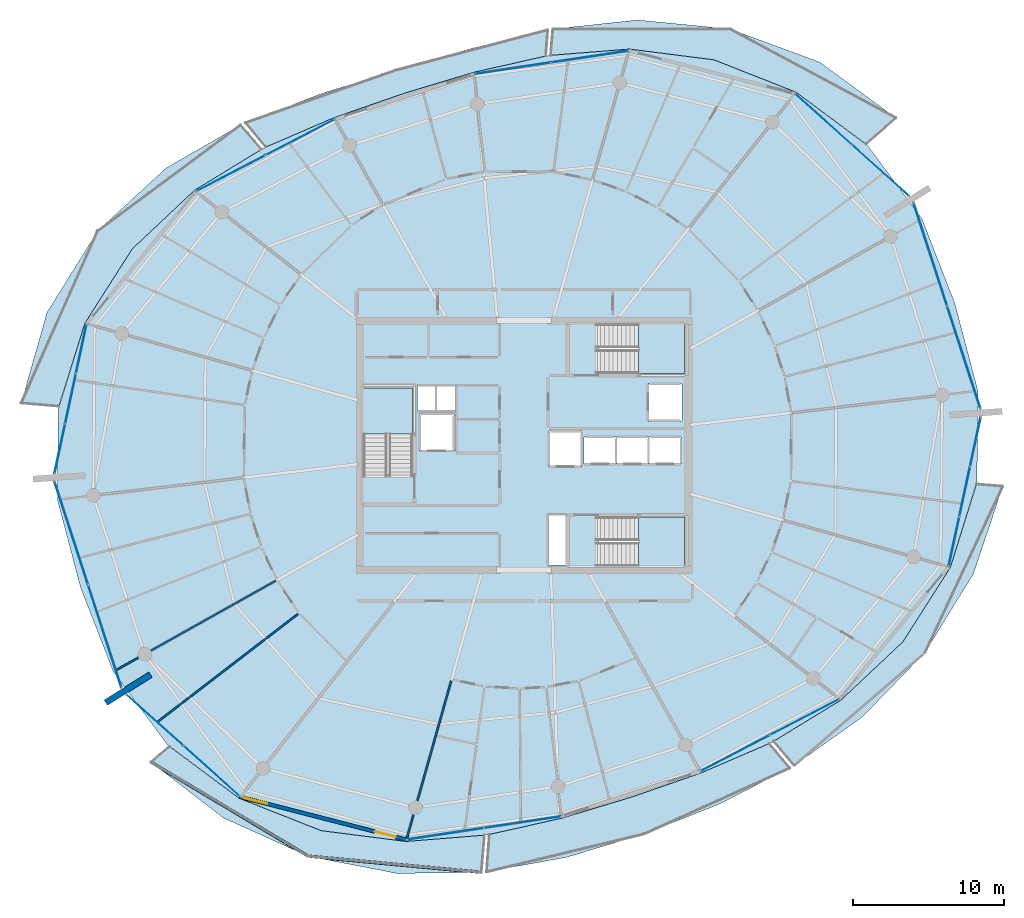
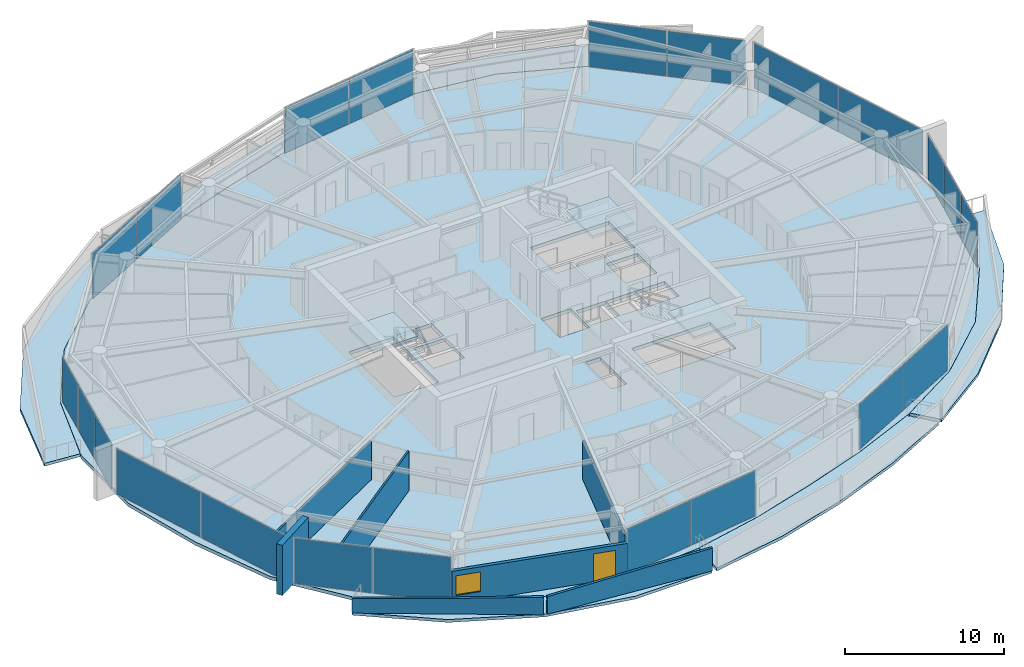
# One storey, part 17 of 30: 22 plates, 10 slabs, 7 walls, 1 door, 1 window, 2 openings, 13 elements without a shape of their own.
"""IFC4 building model written with IfcOpenShell, lengths in metres."""

from ifc_helpers import new_model, si_unit, direction, frame, frame_2d, origin, origin_2d, place, context, subcontext, project, spatial, polyline, rectangle, outline, extrude, material, layer, layer_set, type_object, element, fill, aggregate, save


model = new_model("IFC4")

# Units and contexts
model_context = context("Model", 3, precision=1e-05, world=origin(), true_north=direction((0.0, 1.0)))
body_context = subcontext(model_context, "Body", "Model", "MODEL_VIEW")
ifc_project = project(units=[si_unit("LENGTHUNIT", "METRE"), si_unit("AREAUNIT", "SQUARE_METRE"), si_unit("VOLUMEUNIT", "CUBIC_METRE"), si_unit("PLANEANGLEUNIT", "RADIAN"), si_unit("MASSUNIT", "GRAM", prefix="KILO")], contexts=[model_context])

# Site, building, storey
site_placement = place(None, origin())
site = spatial("IfcSite", under=ifc_project, at=site_placement, CompositionType="ELEMENT")
building_placement = place(site_placement, origin())
building = spatial("IfcBuilding", under=site, at=building_placement, Name="Kazma Halo Residences", CompositionType="ELEMENT")
storey_placement = place(building_placement, frame((0.0, 0.0, 294.449951171875)))
storey = spatial("IfcBuildingStorey", under=building, at=storey_placement, Name="L74", CompositionType="ELEMENT", Elevation=294.449951171875)

# Curtain wall, plates
ifc_material_1 = material(Name="Aluminium AW-6063 T6 and Triple-Silver Low-E Glass", Category="aluminium")
ifc_layer_1 = layer(ifc_material_1, 0.139892578125)
ifc_layer_set_1 = layer_set([ifc_layer_1], Name="Aluminium AW-6063 T6 and Triple-Silver Low-E Glass")
curtain_wall_type = type_object("IfcCurtainWallType", Name="CW-SYS-5", PredefinedType="NOTDEFINED", material=ifc_layer_set_1)
curtain_wall_1_placement = place(storey_placement, origin())
curtain_wall_1 = element("IfcCurtainWall", 1, at=curtain_wall_1_placement, inside=storey, type_object=curtain_wall_type, Name="L74 unitised curtain wall B01", PredefinedType="NOTDEFINED")
ifc_material_2 = material(Name="Clear Triple-Silver Low-E Glass IGU", Category="glass")
ifc_layer_2 = layer(ifc_material_2, 0.02587890625)
ifc_layer_set_2 = layer_set([ifc_layer_2], Name="Clear Triple-Silver Low-E Glass IGU")
plate_type = type_object("IfcPlateType", Name="CW-SYS-5-PNL", PredefinedType="CURTAIN_PANEL", material=ifc_layer_set_2)
plate_1_placement = place(storey_placement, frame((72.002685546875, 60.179443359375, 0.06005859375), z_axis=(0.0, 0.0, 1.0), x_axis=(-0.744336424671, 0.667804826958, 0.0)))
plate_1 = element("IfcPlate", 2, at=plate_1_placement, type_object=plate_type, Name="CWS-5 panel 1.1", PredefinedType="CURTAIN_PANEL", context=body_context, shape_type="SweptSolid", body=[
    extrude(rectangle(XDim=4.993408203125, YDim=0.02587890625, at=origin_2d()), origin(), (0.0, 0.0, 1.0), 3.469970703125),
])
plate_2_placement = place(storey_placement, frame((68.2412109375, 63.55419921875, 0.06005859375), z_axis=(0.0, 0.0, 1.0), x_axis=(-0.744336424671, 0.667804826958, 0.0)))
plate_2 = element("IfcPlate", 3, at=plate_2_placement, type_object=plate_type, Name="CWS-5 panel 2.1", PredefinedType="CURTAIN_PANEL", context=body_context, shape_type="SweptSolid", body=[
    extrude(rectangle(XDim=4.993408203125, YDim=0.02587890625, at=origin_2d()), origin(), (0.0, 0.0, 1.0), 3.469970703125),
])
aggregate(curtain_wall_1, [plate_1, plate_2])

curtain_wall_2_placement = place(storey_placement, origin())
curtain_wall_2 = element("IfcCurtainWall", 4, at=curtain_wall_2_placement, inside=storey, type_object=curtain_wall_type, Name="L74 unitised curtain wall B03", PredefinedType="NOTDEFINED")
plate_3_placement = place(storey_placement, frame((52.77783203125, 67.70361328125, 0.06005859375), z_axis=(0.0, 0.0, 1.0), x_axis=(-0.988882792998, -0.148697080374, 0.0)))
plate_3 = element("IfcPlate", 5, at=plate_3_placement, type_object=plate_type, Name="CWS-5 panel 1.1", PredefinedType="CURTAIN_PANEL", context=body_context, shape_type="SweptSolid", body=[
    extrude(rectangle(XDim=5.099853515625, YDim=0.02587890625, at=origin_2d()), origin(), (0.0, 0.0, 1.0), 3.469970703125),
])
plate_4_placement = place(storey_placement, frame((47.67529296875, 66.936279296875, 0.06005859375), z_axis=(0.0, 0.0, 1.0), x_axis=(-0.988882792998, -0.148697080374, 0.0)))
plate_4 = element("IfcPlate", 6, at=plate_4_placement, type_object=plate_type, Name="CWS-5 panel 2.1", PredefinedType="CURTAIN_PANEL", context=body_context, shape_type="SweptSolid", body=[
    extrude(rectangle(XDim=5.099853515625, YDim=0.02587890625, at=origin_2d()), origin(), (0.0, 0.0, 1.0), 3.469970703125),
])
aggregate(curtain_wall_2, [plate_3, plate_4])

curtain_wall_3_placement = place(storey_placement, origin())
curtain_wall_3 = element("IfcCurtainWall", 7, at=curtain_wall_3_placement, inside=storey, type_object=curtain_wall_type, Name="L74 unitised curtain wall B05", PredefinedType="NOTDEFINED")
plate_5_placement = place(storey_placement, frame((33.60546875, 62.36474609375, 0.06005859375), z_axis=(0.0, 0.0, 1.0), x_axis=(-0.887420518694, -0.460960760804, 0.0)))
plate_5 = element("IfcPlate", 8, at=plate_5_placement, type_object=plate_type, Name="CWS-5 panel 1.1", PredefinedType="CURTAIN_PANEL", context=body_context, shape_type="SweptSolid", body=[
    extrude(rectangle(XDim=5.099609375, YDim=0.02587890625, at=origin_2d()), origin(), (0.0, 0.0, 1.0), 3.469970703125),
])
plate_6_placement = place(storey_placement, frame((29.026611328125, 59.986328125, 0.06005859375), z_axis=(0.0, 0.0, 1.0), x_axis=(-0.887420518694, -0.460960760804, 0.0)))
plate_6 = element("IfcPlate", 9, at=plate_6_placement, type_object=plate_type, Name="CWS-5 panel 2.1", PredefinedType="CURTAIN_PANEL", context=body_context, shape_type="SweptSolid", body=[
    extrude(rectangle(XDim=5.099609375, YDim=0.02587890625, at=origin_2d()), origin(), (0.0, 0.0, 1.0), 3.469970703125),
])
aggregate(curtain_wall_3, [plate_5, plate_6])

curtain_wall_4_placement = place(storey_placement, origin())
curtain_wall_4 = element("IfcCurtainWall", 10, at=curtain_wall_4_placement, inside=storey, type_object=curtain_wall_type, Name="L74 unitised curtain wall B07", PredefinedType="NOTDEFINED")
plate_7_placement = place(storey_placement, frame((19.133056640625, 48.36865234375, 0.06005859375), z_axis=(0.0, 0.0, 1.0), x_axis=(-0.209657382603, -0.97777491373, 0.0)))
plate_7 = element("IfcPlate", 11, at=plate_7_placement, type_object=plate_type, Name="CWS-5 panel 1.1", PredefinedType="CURTAIN_PANEL", context=body_context, shape_type="SweptSolid", body=[
    extrude(rectangle(XDim=3.299072265625, YDim=0.02587890625, at=origin_2d()), origin(), (0.0, 0.0, 1.0), 3.469970703125),
])
plate_8_placement = place(storey_placement, frame((18.42578125, 45.069580078125, 0.06005859375), z_axis=(0.0, 0.0, 1.0), x_axis=(-0.209657382603, -0.97777491373, 0.0)))
plate_8 = element("IfcPlate", 12, at=plate_8_placement, type_object=plate_type, Name="CWS-5 panel 2.1", PredefinedType="CURTAIN_PANEL", context=body_context, shape_type="SweptSolid", body=[
    extrude(rectangle(XDim=3.3291015625, YDim=0.02587890625, at=origin_2d()), origin(), (0.0, 0.0, 1.0), 3.469970703125),
])
plate_9_placement = place(storey_placement, frame((17.71826171875, 41.7705078125, 0.06005859375), z_axis=(0.0, 0.0, 1.0), x_axis=(-0.209657382603, -0.97777491373, 0.0)))
plate_9 = element("IfcPlate", 13, at=plate_9_placement, type_object=plate_type, Name="CWS-5 panel 3.1", PredefinedType="CURTAIN_PANEL", context=body_context, shape_type="SweptSolid", body=[
    extrude(rectangle(XDim=3.299072265625, YDim=0.02587890625, at=origin_2d()), origin(), (0.0, 0.0, 1.0), 3.469970703125),
])
aggregate(curtain_wall_4, [plate_7, plate_8, plate_9])

curtain_wall_5_placement = place(storey_placement, origin())
curtain_wall_5 = element("IfcCurtainWall", 14, at=curtain_wall_5_placement, inside=storey, type_object=curtain_wall_type, Name="L74 unitised curtain wall B08", PredefinedType="NOTDEFINED")
plate_10_placement = place(storey_placement, frame((18.48486328125, 36.1787109375, 0.06005859375), z_axis=(0.0, 0.0, 1.0), x_axis=(0.309010998786, -0.951058464359, 0.0)))
plate_10 = element("IfcPlate", 15, at=plate_10_placement, type_object=plate_type, Name="CWS-5 panel 1.1", PredefinedType="CURTAIN_PANEL", context=body_context, shape_type="SweptSolid", body=[
    extrude(rectangle(XDim=7.108642578125, YDim=0.02587890625, at=origin_2d()), origin(), (0.0, 0.0, 1.0), 3.469970703125),
])
plate_11_placement = place(storey_placement, frame((20.699951171875, 29.36083984375, 0.06005859375), z_axis=(0.0, 0.0, 1.0), x_axis=(0.309010998786, -0.951058464359, 0.0)))
plate_11 = element("IfcPlate", 16, at=plate_11_placement, type_object=plate_type, Name="CWS-5 panel 2.1", PredefinedType="CURTAIN_PANEL", context=body_context, shape_type="SweptSolid", body=[
    extrude(rectangle(XDim=7.108642578125, YDim=0.02587890625, at=origin_2d()), origin(), (0.0, 0.0, 1.0), 3.469970703125),
])
aggregate(curtain_wall_5, [plate_10, plate_11])

curtain_wall_6_placement = place(storey_placement, origin())
curtain_wall_6 = element("IfcCurtainWall", 17, at=curtain_wall_6_placement, inside=storey, type_object=curtain_wall_type, Name="L74 unitised curtain wall B09", PredefinedType="NOTDEFINED")
plate_12_placement = place(storey_placement, frame((23.997314453125, 23.820556640625, 0.06005859375), z_axis=(0.0, 0.0, 1.0), x_axis=(0.744336424671, -0.667804826958, 0.0)))
plate_12 = element("IfcPlate", 18, at=plate_12_placement, type_object=plate_type, Name="CWS-5 panel 1.1", PredefinedType="CURTAIN_PANEL", context=body_context, shape_type="SweptSolid", body=[
    extrude(rectangle(XDim=4.993408203125, YDim=0.02587890625, at=origin_2d()), origin(), (0.0, 0.0, 1.0), 3.469970703125),
])
plate_13_placement = place(storey_placement, frame((27.7587890625, 20.44580078125, 0.06005859375), z_axis=(0.0, 0.0, 1.0), x_axis=(0.744336424671, -0.667804826958, 0.0)))
plate_13 = element("IfcPlate", 19, at=plate_13_placement, type_object=plate_type, Name="CWS-5 panel 2.1", PredefinedType="CURTAIN_PANEL", context=body_context, shape_type="SweptSolid", body=[
    extrude(rectangle(XDim=4.993408203125, YDim=0.02587890625, at=origin_2d()), origin(), (0.0, 0.0, 1.0), 3.469970703125),
])
aggregate(curtain_wall_6, [plate_12, plate_13])

curtain_wall_7_placement = place(storey_placement, origin())
curtain_wall_7 = element("IfcCurtainWall", 20, at=curtain_wall_7_placement, inside=storey, type_object=curtain_wall_type, Name="L74 unitised curtain wall B11", PredefinedType="NOTDEFINED")
plate_14_placement = place(storey_placement, frame((43.22216796875, 16.29638671875, 0.06005859375), z_axis=(0.0, 0.0, 1.0), x_axis=(0.988882792998, 0.148697080374, 0.0)))
plate_14 = element("IfcPlate", 21, at=plate_14_placement, type_object=plate_type, Name="CWS-5 panel 1.1", PredefinedType="CURTAIN_PANEL", context=body_context, shape_type="SweptSolid", body=[
    extrude(rectangle(XDim=5.099853515625, YDim=0.02587890625, at=origin_2d()), origin(), (0.0, 0.0, 1.0), 3.469970703125),
])
plate_15_placement = place(storey_placement, frame((48.32470703125, 17.063720703125, 0.06005859375), z_axis=(0.0, 0.0, 1.0), x_axis=(0.988882792998, 0.148697080374, 0.0)))
plate_15 = element("IfcPlate", 22, at=plate_15_placement, type_object=plate_type, Name="CWS-5 panel 2.1", PredefinedType="CURTAIN_PANEL", context=body_context, shape_type="SweptSolid", body=[
    extrude(rectangle(XDim=5.099853515625, YDim=0.02587890625, at=origin_2d()), origin(), (0.0, 0.0, 1.0), 3.469970703125),
])
aggregate(curtain_wall_7, [plate_14, plate_15])

curtain_wall_8_placement = place(storey_placement, origin())
curtain_wall_8 = element("IfcCurtainWall", 23, at=curtain_wall_8_placement, inside=storey, type_object=curtain_wall_type, Name="L74 unitised curtain wall B13", PredefinedType="NOTDEFINED")
plate_16_placement = place(storey_placement, frame((62.39453125, 21.63525390625, 0.06005859375), z_axis=(0.0, 0.0, 1.0), x_axis=(0.887420518694, 0.460960760804, 0.0)))
plate_16 = element("IfcPlate", 24, at=plate_16_placement, type_object=plate_type, Name="CWS-5 panel 1.1", PredefinedType="CURTAIN_PANEL", context=body_context, shape_type="SweptSolid", body=[
    extrude(rectangle(XDim=5.099609375, YDim=0.02587890625, at=origin_2d()), origin(), (0.0, 0.0, 1.0), 3.469970703125),
])
plate_17_placement = place(storey_placement, frame((66.973388671875, 24.013671875, 0.06005859375), z_axis=(0.0, 0.0, 1.0), x_axis=(0.887420518694, 0.460960760804, 0.0)))
plate_17 = element("IfcPlate", 25, at=plate_17_placement, type_object=plate_type, Name="CWS-5 panel 2.1", PredefinedType="CURTAIN_PANEL", context=body_context, shape_type="SweptSolid", body=[
    extrude(rectangle(XDim=5.099609375, YDim=0.02587890625, at=origin_2d()), origin(), (0.0, 0.0, 1.0), 3.469970703125),
])
aggregate(curtain_wall_8, [plate_16, plate_17])

curtain_wall_9_placement = place(storey_placement, origin())
curtain_wall_9 = element("IfcCurtainWall", 26, at=curtain_wall_9_placement, inside=storey, type_object=curtain_wall_type, Name="L74 unitised curtain wall B15", PredefinedType="NOTDEFINED")
plate_18_placement = place(storey_placement, frame((76.866943359375, 35.63134765625, 0.06005859375), z_axis=(0.0, 0.0, 1.0), x_axis=(0.209657382603, 0.97777491373, 0.0)))
plate_18 = element("IfcPlate", 27, at=plate_18_placement, type_object=plate_type, Name="CWS-5 panel 1.1", PredefinedType="CURTAIN_PANEL", context=body_context, shape_type="SweptSolid", body=[
    extrude(rectangle(XDim=3.299072265625, YDim=0.02587890625, at=origin_2d()), origin(), (0.0, 0.0, 1.0), 3.469970703125),
])
plate_19_placement = place(storey_placement, frame((77.57421875, 38.930419921875, 0.06005859375), z_axis=(0.0, 0.0, 1.0), x_axis=(0.209657382603, 0.97777491373, 0.0)))
plate_19 = element("IfcPlate", 28, at=plate_19_placement, type_object=plate_type, Name="CWS-5 panel 2.1", PredefinedType="CURTAIN_PANEL", context=body_context, shape_type="SweptSolid", body=[
    extrude(rectangle(XDim=3.3291015625, YDim=0.02587890625, at=origin_2d()), origin(), (0.0, 0.0, 1.0), 3.469970703125),
])
plate_20_placement = place(storey_placement, frame((78.28173828125, 42.2294921875, 0.06005859375), z_axis=(0.0, 0.0, 1.0), x_axis=(0.209657382603, 0.97777491373, 0.0)))
plate_20 = element("IfcPlate", 29, at=plate_20_placement, type_object=plate_type, Name="CWS-5 panel 3.1", PredefinedType="CURTAIN_PANEL", context=body_context, shape_type="SweptSolid", body=[
    extrude(rectangle(XDim=3.299072265625, YDim=0.02587890625, at=origin_2d()), origin(), (0.0, 0.0, 1.0), 3.469970703125),
])
aggregate(curtain_wall_9, [plate_18, plate_19, plate_20])

curtain_wall_10_placement = place(storey_placement, origin())
curtain_wall_10 = element("IfcCurtainWall", 30, at=curtain_wall_10_placement, inside=storey, type_object=curtain_wall_type, Name="L74 unitised curtain wall B16", PredefinedType="NOTDEFINED")
plate_21_placement = place(storey_placement, frame((77.51513671875, 47.8212890625, 0.06005859375), z_axis=(0.0, 0.0, 1.0), x_axis=(-0.309010998786, 0.951058464359, 0.0)))
plate_21 = element("IfcPlate", 31, at=plate_21_placement, type_object=plate_type, Name="CWS-5 panel 1.1", PredefinedType="CURTAIN_PANEL", context=body_context, shape_type="SweptSolid", body=[
    extrude(rectangle(XDim=7.108642578125, YDim=0.02587890625, at=origin_2d()), origin(), (0.0, 0.0, 1.0), 3.469970703125),
])
plate_22_placement = place(storey_placement, frame((75.300048828125, 54.63916015625, 0.06005859375), z_axis=(0.0, 0.0, 1.0), x_axis=(-0.309010998786, 0.951058464359, 0.0)))
plate_22 = element("IfcPlate", 32, at=plate_22_placement, type_object=plate_type, Name="CWS-5 panel 2.1", PredefinedType="CURTAIN_PANEL", context=body_context, shape_type="SweptSolid", body=[
    extrude(rectangle(XDim=7.108642578125, YDim=0.02587890625, at=origin_2d()), origin(), (0.0, 0.0, 1.0), 3.469970703125),
])
aggregate(curtain_wall_10, [plate_21, plate_22])

# Slabs
ifc_material_3 = material(Name="White Concrete C50/60", Category="concrete")
ifc_layer_3 = layer(ifc_material_3, 0.219970703125)
ifc_layer_set_3 = layer_set([ifc_layer_3], Name="White Concrete C50/60")
slab_type_1 = type_object("IfcSlabType", Name="SLB-BAL-WAVE-210", PredefinedType="FLOOR", material=ifc_layer_set_3)
slab_1_placement = place(storey_placement, frame((0.0, 0.0, -0.219970703125)))
element("IfcSlab", 33, at=slab_1_placement, inside=storey, type_object=slab_type_1, Name="L74 NE cantilevered wave balcony slab", PredefinedType="FLOOR", context=body_context, shape_type="SweptSolid", body=[
    extrude(outline(polyline([(71.0400390625, 61.9228515625), (66.41357421875, 65.357421875), (60.990478515625, 67.49560546875), (55.3916015625, 68.208984375), (50.188720703125, 67.794189453125), (50.336669921875, 69.537353515625), (55.93359375, 70.130615234375), (62.033447265625, 69.5419921875), (67.97998046875, 67.344482421875), (73.03759765625, 63.650146484375), (71.0400390625, 61.9228515625)])), origin(), (0.0, 0.0, 1.0), 0.219970703125),
])
slab_2_placement = place(storey_placement, frame((0.0, 0.0, -0.219970703125)))
element("IfcSlab", 34, at=slab_2_placement, inside=storey, type_object=slab_type_1, Name="L74 NNW cantilevered wave balcony slab", PredefinedType="FLOOR", context=body_context, shape_type="SweptSolid", body=[
    extrude(outline(polyline([(49.8681640625, 67.74609375), (45.080078125, 66.66943359375), (40.43994140625, 65.267333984375), (35.86181640625, 63.67431640625), (31.35546875, 61.731201171875), (30.004150390625, 63.3330078125), (34.977783203125, 65.252685546875), (39.940185546875, 66.805908203125), (44.8935546875, 68.24658203125), (49.993408203125, 69.47265625), (49.8681640625, 67.74609375)])), origin(), (0.0, 0.0, 1.0), 0.219970703125),
])
slab_3_placement = place(storey_placement, frame((0.0, 0.0, -0.219970703125)))
element("IfcSlab", 35, at=slab_3_placement, inside=storey, type_object=slab_type_1, Name="L74 NW cantilevered wave balcony slab", PredefinedType="FLOOR", context=body_context, shape_type="SweptSolid", body=[
    extrude(outline(polyline([(31.06787109375, 61.58154296875), (26.614501953125, 58.85888671875), (22.50439453125, 54.990478515625), (19.3740234375, 50.0732421875), (17.64990234375, 44.5751953125), (15.16357421875, 44.7861328125), (16.864013671875, 50.78125), (20.20703125, 56.1611328125), (24.740234375, 60.336669921875), (29.681396484375, 63.184814453125), (31.06787109375, 61.58154296875)])), origin(), (0.0, 0.0, 1.0), 0.219970703125),
])
slab_4_placement = place(storey_placement, frame((0.0, 0.0, -0.219970703125)))
element("IfcSlab", 36, at=slab_4_placement, inside=storey, type_object=slab_type_1, Name="L74 SW cantilevered wave balcony slab", PredefinedType="FLOOR", context=body_context, shape_type="SweptSolid", body=[
    extrude(outline(polyline([(24.9599609375, 22.0771484375), (29.58642578125, 18.642578125), (35.009521484375, 16.50439453125), (40.6083984375, 15.791015625), (45.811279296875, 16.205810546875), (45.602294921875, 13.743408203125), (40.01123046875, 13.674072265625), (34.147216796875, 14.8125), (28.555419921875, 17.33447265625), (23.748779296875, 21.030029296875), (24.9599609375, 22.0771484375)])), origin(), (0.0, 0.0, 1.0), 0.219970703125),
])
slab_5_placement = place(storey_placement, frame((0.0, 0.0, -0.219970703125)))
element("IfcSlab", 37, at=slab_5_placement, inside=storey, type_object=slab_type_1, Name="L74 SSE cantilevered wave balcony slab", PredefinedType="FLOOR", context=body_context, shape_type="SweptSolid", body=[
    extrude(outline(polyline([(46.1318359375, 16.25390625), (50.919921875, 17.33056640625), (55.56005859375, 18.732666015625), (60.13818359375, 20.32568359375), (64.64453125, 22.268798828125), (66.00830078125, 20.65234375), (61.304443359375, 18.2431640625), (56.356689453125, 16.280517578125), (51.226318359375, 14.740478515625), (45.952392578125, 13.780517578125), (46.1318359375, 16.25390625)])), origin(), (0.0, 0.0, 1.0), 0.219970703125),
])
slab_6_placement = place(storey_placement, frame((0.0, 0.0, -0.219970703125)))
element("IfcSlab", 38, at=slab_6_placement, inside=storey, type_object=slab_type_1, Name="L74 SE cantilevered wave balcony slab", PredefinedType="FLOOR", context=body_context, shape_type="SweptSolid", body=[
    extrude(outline(polyline([(64.93212890625, 22.41845703125), (69.385498046875, 25.14111328125), (73.49560546875, 29.009521484375), (76.6259765625, 33.9267578125), (78.35009765625, 39.4248046875), (80.09033203125, 39.277099609375), (78.154296875, 33.49560546875), (74.936767578125, 28.27490234375), (70.80615234375, 24.021240234375), (66.30615234375, 20.82958984375), (64.93212890625, 22.41845703125)])), origin(), (0.0, 0.0, 1.0), 0.219970703125),
])
ifc_material_4 = material(Name="Concrete C50/60", Category="concrete")
ifc_layer_4 = layer(ifc_material_4, 0.260009765625)
ifc_layer_set_4 = layer_set([ifc_layer_4], Name="Concrete C50/60")
slab_type_2 = type_object("IfcSlabType", Name="SLB-RES-260", PredefinedType="FLOOR", material=ifc_layer_set_4)
slab_7_placement = place(storey_placement, frame((0.0, 0.0, -0.260009765625)))
element("IfcSlab", 39, at=slab_7_placement, inside=storey, type_object=slab_type_2, Name="L74 structural floor slab", PredefinedType="FLOOR", context=body_context, shape_type="SweptSolid", body=[
    extrude(outline(polyline([(76.9189453125, 51.396240234375), (74.749755859375, 56.980712890625), (71.180419921875, 61.7978515625), (66.412109375, 65.355712890625), (60.98974609375, 67.49365234375), (55.39111328125, 68.207275390625), (50.02880859375, 67.7783203125), (45.080322265625, 66.66748046875), (40.440673828125, 65.265380859375), (35.86279296875, 63.672607421875), (31.20654296875, 61.66259765625), (26.6162109375, 58.857666015625), (22.50634765625, 54.98974609375), (19.3759765625, 50.07275390625), (17.60986328125, 44.391845703125), (17.5537109375, 38.396484375), (19.0810546875, 32.603759765625), (21.250244140625, 27.019287109375), (24.819580078125, 22.2021484375), (29.587890625, 18.644287109375), (35.01025390625, 16.50634765625), (40.60888671875, 15.792724609375), (45.97119140625, 16.2216796875), (50.919677734375, 17.33251953125), (55.559326171875, 18.734619140625), (60.13720703125, 20.327392578125), (64.79345703125, 22.33740234375), (69.3837890625, 25.142333984375), (73.49365234375, 29.01025390625), (76.6240234375, 33.92724609375), (78.39013671875, 39.608154296875), (78.4462890625, 45.603515625), (76.9189453125, 51.396240234375)]), holes=[polyline([(37.800048828125, 40.110107421875), (41.050048828125, 40.110107421875), (41.050048828125, 45.800048828125), (37.800048828125, 45.800048828125), (37.800048828125, 40.110107421875)]), polyline([(53.360107421875, 46.75), (59.050048828125, 46.75), (59.050048828125, 50.0), (53.360107421875, 50.0), (53.360107421875, 46.75)]), polyline([(53.360107421875, 34.0), (59.050048828125, 34.0), (59.050048828125, 37.25), (53.360107421875, 37.25), (53.360107421875, 34.0)]), polyline([(41.52001953125, 41.6201171875), (43.780029296875, 41.6201171875), (43.780029296875, 44.080078125), (41.52001953125, 44.080078125), (41.52001953125, 41.6201171875)]), polyline([(56.6201171875, 43.6201171875), (58.8798828125, 43.6201171875), (58.8798828125, 46.080078125), (56.6201171875, 46.080078125), (56.6201171875, 43.6201171875)]), polyline([(52.39501953125, 40.7451171875), (54.5048828125, 40.7451171875), (54.5048828125, 42.554931640625), (52.39501953125, 42.554931640625), (52.39501953125, 40.7451171875)]), polyline([(54.544921875, 40.7451171875), (56.655029296875, 40.7451171875), (56.655029296875, 42.554931640625), (54.544921875, 42.554931640625), (54.544921875, 40.7451171875)]), polyline([(56.695068359375, 40.7451171875), (58.804931640625, 40.7451171875), (58.804931640625, 42.554931640625), (56.695068359375, 42.554931640625), (56.695068359375, 40.7451171875)]), polyline([(50.070068359375, 40.570068359375), (52.22998046875, 40.570068359375), (52.22998046875, 42.929931640625), (50.070068359375, 42.929931640625), (50.070068359375, 40.570068359375)]), polyline([(41.360107421875, 44.340087890625), (42.5400390625, 44.340087890625), (42.5400390625, 45.89990234375), (41.360107421875, 45.89990234375), (41.360107421875, 44.340087890625)]), polyline([(42.659912109375, 44.340087890625), (43.840087890625, 44.340087890625), (43.840087890625, 45.89990234375), (42.659912109375, 45.89990234375), (42.659912109375, 44.340087890625)]), polyline([(50.06005859375, 34.080078125), (51.159912109375, 34.080078125), (51.159912109375, 37.3798828125), (50.06005859375, 37.3798828125), (50.06005859375, 34.080078125)])]), origin(), (0.0, 0.0, 1.0), 0.260009765625),
])

# Stair, slab
stair_type = type_object("IfcStairType", Name="STR-RES2", PredefinedType="HALF_TURN_STAIR", material=ifc_material_4)
stair_1_placement = place(storey_placement, origin())
stair_1 = element("IfcStair", 40, at=stair_1_placement, inside=storey, type_object=stair_type, Name="L74 Core exit stair ST-01", PredefinedType="HALF_TURN_STAIR")
ifc_layer_5 = layer(ifc_material_4, 0.199951171875)
ifc_layer_set_5 = layer_set([ifc_layer_5], Name="Concrete C50/60")
slab_type_3 = type_object("IfcSlabType", Name="SLB-STAIR-LND-200", PredefinedType="LANDING", material=ifc_layer_set_5)
slab_8_placement = place(storey_placement, frame((0.0, 0.0, 1.72509765625)))
slab_8 = element("IfcSlab", 41, at=slab_8_placement, type_object=slab_type_3, Name="ST-01 landing 1", PredefinedType="LANDING", context=body_context, shape_type="SweptSolid", body=[
    extrude(outline(polyline([(41.050048828125, 42.75), (41.050048828125, 45.800048828125), (37.800048828125, 45.800048828125), (37.800048828125, 42.75), (41.050048828125, 42.75)])), origin(), (0.0, 0.0, 1.0), 0.199951171875),
])
aggregate(stair_1, [slab_8])

stair_2_placement = place(storey_placement, origin())
stair_2 = element("IfcStair", 42, at=stair_2_placement, inside=storey, type_object=stair_type, Name="L74 Core exit stair ST-02", PredefinedType="HALF_TURN_STAIR")
slab_9_placement = place(storey_placement, frame((0.0, 0.0, 1.72509765625)))
slab_9 = element("IfcSlab", 43, at=slab_9_placement, type_object=slab_type_3, Name="ST-02 landing 1", PredefinedType="LANDING", context=body_context, shape_type="SweptSolid", body=[
    extrude(outline(polyline([(56.0, 46.75), (59.050048828125, 46.75), (59.050048828125, 50.0), (56.0, 50.0), (56.0, 46.75)])), origin(), (0.0, 0.0, 1.0), 0.199951171875),
])
aggregate(stair_2, [slab_9])

stair_3_placement = place(storey_placement, origin())
stair_3 = element("IfcStair", 44, at=stair_3_placement, inside=storey, type_object=stair_type, Name="L74 Core exit stair ST-03", PredefinedType="HALF_TURN_STAIR")
slab_10_placement = place(storey_placement, frame((0.0, 0.0, 1.72509765625)))
slab_10 = element("IfcSlab", 45, at=slab_10_placement, type_object=slab_type_3, Name="ST-03 landing 1", PredefinedType="LANDING", context=body_context, shape_type="SweptSolid", body=[
    extrude(outline(polyline([(56.0, 34.0), (59.050048828125, 34.0), (59.050048828125, 37.25), (56.0, 37.25), (56.0, 34.0)])), origin(), (0.0, 0.0, 1.0), 0.199951171875),
])
aggregate(stair_3, [slab_10])

# Walls
ifc_material_5 = material(Name="White Concrete C50/60 Balustrade", Category="concrete")
ifc_layer_6 = layer(ifc_material_5, 0.179931640625)
ifc_layer_set_6 = layer_set([ifc_layer_6], Name="White Concrete C50/60 Balustrade")
wall_type_1 = type_object("IfcWallType", Name="WL-BAL-WAVE-180", PredefinedType="PARAPET", material=ifc_layer_set_6)
wall_1_placement = place(storey_placement, frame((23.748779296875, 21.030029296875, 0.0), z_axis=(0.0, 0.0, 1.0), x_axis=(0.858273121585, -0.513193188541, 0.0)))
element("IfcWall", 46, at=wall_1_placement, inside=storey, type_object=wall_type_1, Name="L74 white wave balustrade wall SW.1", PredefinedType="PARAPET", context=body_context, shape_type="SweptSolid", body=[
    extrude(outline(polyline([(0.0, 0.0), (11.99560546875, 0.0), (11.995361328125, 1.34814453125), (5.997802734375, 1.18212890625), (0.0, 1.1201171875), (0.0, 0.0)])), frame((0.0, 0.08984375, 0.0), z_axis=(0.0, -1.0, 0.0), x_axis=(1.0, 0.0, 0.0)), (0.0, 0.0, 1.0), 0.179931640625),
])
wall_2_placement = place(storey_placement, frame((34.266845703125, 14.80126953125, 0.0), z_axis=(0.0, 0.0, 1.0), x_axis=(0.995673621648, -0.092919530532, 0.0)))
element("IfcWall", 47, at=wall_2_placement, inside=storey, type_object=wall_type_1, Name="L74 white wave balustrade wall SW.2", PredefinedType="PARAPET", context=body_context, shape_type="SweptSolid", body=[
    extrude(outline(polyline([(0.0, 0.0), (11.384765625, 0.0), (11.384765625, 1.7470703125), (5.6923828125, 1.56201171875), (0.0, 1.34814453125), (0.0, 0.0)])), frame((0.0, 0.08984375, 0.0), z_axis=(0.0, -1.0, 0.0), x_axis=(1.0, 0.0, 0.0)), (0.0, 0.0, 1.0), 0.179931640625),
])
ifc_material_6 = material(Name="Pale Concrete C60/75", Category="concrete")
ifc_layer_7 = layer(ifc_material_6, 0.419921875)
ifc_layer_set_7 = layer_set([ifc_layer_7], Name="Pale Concrete C60/75")
wall_type_2 = type_object("IfcWallType", Name="WL-BLADE-420", PredefinedType="SOLIDWALL", material=ifc_layer_set_7)
wall_3_placement = place(storey_placement, frame((23.718505859375, 26.827392578125, 0.0), z_axis=(0.0, 0.0, 1.0), x_axis=(-0.848033572426, -0.529942506352, 0.0)))
element("IfcWall", 48, at=wall_3_placement, inside=storey, type_object=wall_type_2, Name="L74 pale concrete structural blade fin wall BW-03", PredefinedType="SOLIDWALL", context=body_context, shape_type="SweptSolid", body=[
    extrude(rectangle(XDim=3.5, YDim=0.419921875, at=frame_2d((1.75, 0.0))), origin(), (0.0, 0.0, 1.0), 3.85009765625),
])

# Wall, openings, door, window
ifc_material_7 = material(Name="Insulated Pale-Metal Composite Wall")
ifc_layer_8 = layer(ifc_material_7, 0.239990234375)
ifc_layer_set_8 = layer_set([ifc_layer_8], Name="Insulated Pale-Metal Composite Wall")
wall_type_3 = type_object("IfcWallType", Name="WL-EXT-HOST-240", PredefinedType="SOLIDWALL", material=ifc_layer_set_8)
wall_4_placement = place(storey_placement, frame((29.613525390625, 18.7509765625, 0.0), z_axis=(0.0, 0.0, 1.0), x_axis=(0.968343758421, -0.249620442927, 0.0)))
wall_4 = element("IfcWall", 49, at=wall_4_placement, inside=storey, type_object=wall_type_3, Name="L74 exterior terrace-access wall B10", PredefinedType="SOLIDWALL", context=body_context, shape_type="SweptSolid", body=[
    extrude(rectangle(XDim=11.438232421875, YDim=0.239990234375, at=frame_2d((5.71923828125, 0.0))), origin(), (0.0, 0.0, 1.0), 2.5400390625),
])
opening_1_placement = place(wall_4_placement, frame((9.21826171875, 0.0, 0.0)))
opening_1 = element("IfcOpeningElement", 50, at=opening_1_placement, cuts=wall_4, Name="Opening DTR-1600", PredefinedType="OPENING", context=body_context, shape_type="SweptSolid", body=[
    extrude(rectangle(XDim=1.449951171875, YDim=2.14990234375, at=frame_2d((0.72509765625, 1.074951171875))), frame((0.0, 0.1298828125, 0.0), z_axis=(0.0, -1.0, 0.0), x_axis=(1.0, 0.0, 0.0)), (0.0, 0.0, 1.0), 0.260009765625),
])
opening_2_placement = place(wall_4_placement, frame((0.280029296875, 0.0, 0.64990234375)))
opening_2 = element("IfcOpeningElement", 51, at=opening_2_placement, cuts=wall_4, Name="Opening W-1800", PredefinedType="OPENING", context=body_context, shape_type="SweptSolid", body=[
    extrude(rectangle(XDim=1.60009765625, YDim=1.5, at=frame_2d((0.800048828125, 0.75))), frame((0.0, 0.1298828125, 0.0), z_axis=(0.0, -1.0, 0.0), x_axis=(1.0, 0.0, 0.0)), (0.0, 0.0, 1.0), 0.260009765625),
])
ifc_material_8 = material(Name="Aluminium AW-6063 T6 Double-Glazed Terrace Door", Category="aluminium")
door_type = type_object("IfcDoorType", Name="DR-EXT-TERR-1600", OperationType="NOTDEFINED", PredefinedType="DOOR", material=ifc_material_8)
door_placement = place(opening_1_placement, origin())
door = element("IfcDoor", 52, at=door_placement, inside=storey, type_object=door_type, Name="L74 B10 balcony terrace door", OperationType="DOUBLE_DOOR_SLIDING", OverallHeight=2.14990234375, OverallWidth=1.449951171875, PredefinedType="DOOR", context=body_context, shape_type="SweptSolid", body=[
    extrude(rectangle(XDim=1.449951171875, YDim=2.14990234375, at=frame_2d((0.72509765625, 1.074951171875))), frame((0.0, 0.02490234375, 0.0), z_axis=(0.0, -1.0, 0.0), x_axis=(1.0, 0.0, 0.0)), (0.0, 0.0, 1.0), 0.050048828125),
])
fill(opening_1, door)
ifc_material_9 = material(Name="Clear Triple-Silver Low-E Glass in Aluminium AW-6063 T6 Frame", Category="aluminium")
window_type = type_object("IfcWindowType", Name="WIN-RES-1800", PartitioningType="DOUBLE_PANEL_VERTICAL", PredefinedType="WINDOW", material=ifc_material_9)
window_placement = place(opening_2_placement, origin())
window = element("IfcWindow", 53, at=window_placement, inside=storey, type_object=window_type, Name="L74 B10 apartment window", OverallHeight=1.5, OverallWidth=1.60009765625, PartitioningType="SINGLE_PANEL", PredefinedType="WINDOW", context=body_context, shape_type="SweptSolid", body=[
    extrude(rectangle(XDim=1.60009765625, YDim=1.5, at=frame_2d((0.800048828125, 0.75))), frame((0.0, 0.030029296875, 0.0), z_axis=(0.0, -1.0, 0.0), x_axis=(1.0, 0.0, 0.0)), (0.0, 0.0, 1.0), 0.06005859375),
])
fill(opening_2, window)

# Walls
ifc_material_10 = material(Name="Gypsum Plasterboard Partition")
ifc_layer_9 = layer(ifc_material_10, 0.125)
ifc_layer_set_9 = layer_set([ifc_layer_9], Name="Gypsum Plasterboard Partition")
wall_type_4 = type_object("IfcWallType", Name="WL-PART-125", PredefinedType="PARTITIONING", material=ifc_layer_set_9)
wall_5_placement = place(storey_placement, frame((43.60107421875, 26.402587890625, 0.0), z_axis=(0.0, 0.0, 1.0), x_axis=(-0.271440797747, -0.962455138341, 0.0)))
element("IfcWall", 54, at=wall_5_placement, inside=storey, type_object=wall_type_4, Name="L74 Apartment 1 radial partition 10", PredefinedType="PARTITIONING", context=body_context, shape_type="SweptSolid", body=[
    extrude(rectangle(XDim=10.77880859375, YDim=0.125, at=frame_2d((5.389404296875, 0.0))), origin(), (0.0, 0.0, 1.0), 2.95703125),
])
wall_6_placement = place(storey_placement, frame((32.001953125, 33.04052734375, 0.0), z_axis=(0.0, 0.0, 1.0), x_axis=(-0.872499131003, -0.488615663276, 0.0)))
element("IfcWall", 55, at=wall_6_placement, inside=storey, type_object=wall_type_4, Name="L74 Apartment 2 radial partition 8", PredefinedType="PARTITIONING", context=body_context, shape_type="SweptSolid", body=[
    extrude(rectangle(XDim=12.09375, YDim=0.125, at=frame_2d((6.046875, 0.0))), origin(), (0.0, 0.0, 1.0), 2.95703125),
])
wall_7_placement = place(storey_placement, frame((33.466796875, 30.836181640625, 0.0), z_axis=(0.0, 0.0, 1.0), x_axis=(-0.793032685216, -0.609179087115, 0.0)))
element("IfcWall", 56, at=wall_7_placement, inside=storey, type_object=wall_type_4, Name="L74 Apartment 2 mid-bay wall 8", PredefinedType="PARTITIONING", context=body_context, shape_type="SweptSolid", body=[
    extrude(rectangle(XDim=11.72021484375, YDim=0.125, at=frame_2d((5.860107421875, 0.0))), origin(), (0.0, 0.0, 1.0), 3.030029296875),
])

save(model, "model.ifc")
